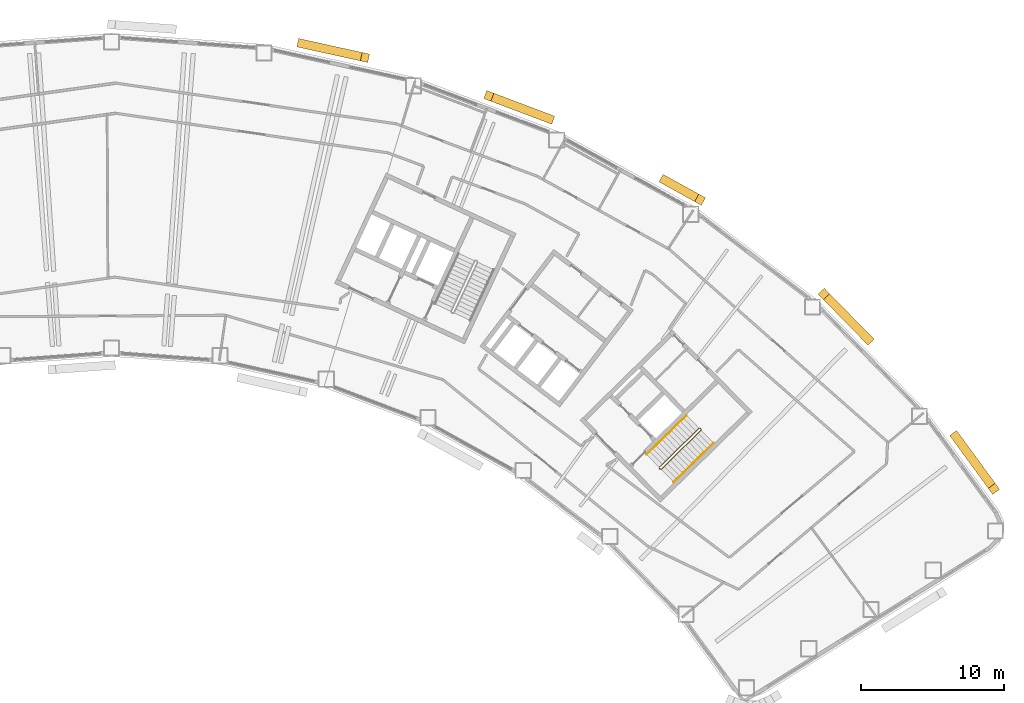
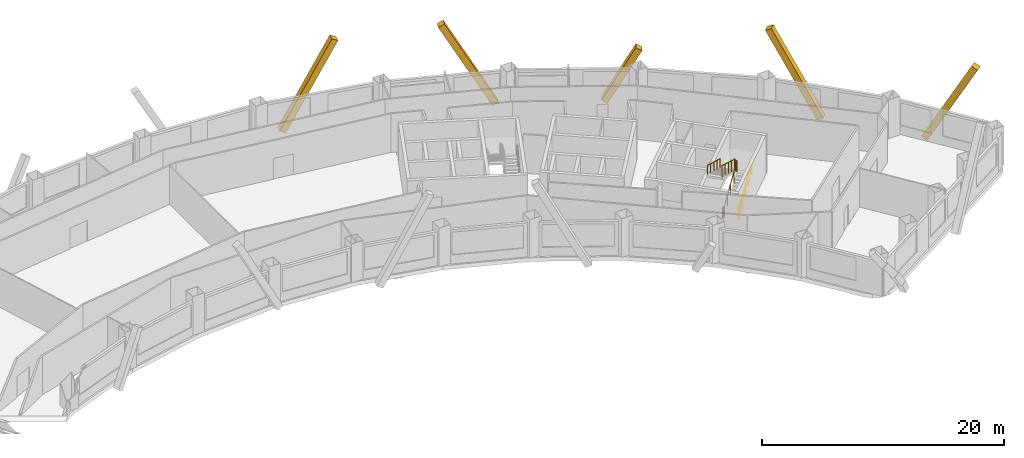
# One storey, part 11 of 11: 5 coverings, 3 railings.
"""IFC4 building model written with IfcOpenShell, lengths in metres."""

from ifc_helpers import new_model, si_unit, direction, frame, origin, origin_2d, place, context, subcontext, project, spatial, rectangle, circle, extrude, material, material_profile, profile_set, type_object, element, save


model = new_model("IFC4")

# Units and contexts
model_context = context("Model", 3, precision=1e-05, world=origin(), true_north=direction((0.0, 1.0)))
body_context = subcontext(model_context, "Body", "Model", "MODEL_VIEW")
ifc_project = project(units=[si_unit("LENGTHUNIT", "METRE"), si_unit("AREAUNIT", "SQUARE_METRE"), si_unit("VOLUMEUNIT", "CUBIC_METRE"), si_unit("PLANEANGLEUNIT", "RADIAN"), si_unit("MASSUNIT", "GRAM", prefix="KILO")], contexts=[model_context])

# Site, building, storey
site_placement = place(None, origin())
site = spatial("IfcSite", under=ifc_project, at=site_placement, CompositionType="ELEMENT")
building_placement = place(site_placement, origin())
building = spatial("IfcBuilding", under=site, at=building_placement, Name="Tuul Gate Civic Tower", CompositionType="ELEMENT")
storey_placement = place(building_placement, frame((0.0, 0.0, 99.300048828125)))
storey = spatial("IfcBuildingStorey", under=building, at=storey_placement, Name="Level 22", CompositionType="ELEMENT", Elevation=99.300048828125)

# Railings
ifc_material_1 = material(Name="Painted steel", Category="steel")
railing_type_1 = type_object("IfcRailingType", Name="Stair guard", PredefinedType="GUARDRAIL", material=ifc_material_1)
railing_1_placement = place(storey_placement, frame((48.10546875, -16.134765625, 0.0)))
element("IfcRailing", 1, at=railing_1_placement, inside=storey, type_object=railing_type_1, Name="Level 22 ST-3 stair guard 1", PredefinedType="GUARDRAIL", context=body_context, shape_type="SweptSolid", body=[
    extrude(circle(Radius=0.02392578125, at=origin_2d()), frame((0.0, 0.0, 1.076171875), z_axis=(-0.698506948293, 0.715603272202, 0.0), x_axis=(-0.715603272202, -0.698506948293, 0.0)), (0.0, 0.0, 1.0), 0.099853515625),
    extrude(circle(Radius=0.02392578125, at=origin_2d()), frame((-0.06982421875, 0.071533203125, 1.076171875), z_axis=(0.645446321009, -0.331687692741, 0.688027849131), x_axis=(0.457068866502, 0.889431307788, 0.0)), (0.0, 0.0, 1.0), 0.2177734375),
    extrude(circle(Radius=0.02392578125, at=origin_2d()), frame((0.07080078125, -0.000732421875, 1.22607421875), z_axis=(0.638731261263, 0.626133563701, 0.447190268558), x_axis=(-0.700029477518, 0.714113947914, 0.0)), (0.0, 0.0, 1.0), 4.3603515625),
    extrude(circle(Radius=0.02392578125, at=origin_2d()), frame((2.85595703125, 2.7294921875, 3.17578125), z_axis=(0.010380063588, 0.999946125689, 0.0), x_axis=(-0.999946125689, 0.010380063588, 0.0)), (0.0, 0.0, 1.0), 0.070556640625),
    extrude(circle(Radius=0.02392578125, at=origin_2d()), frame((2.856689453125, 2.800048828125, 3.17578125), z_axis=(-0.699754442181, 0.714383454909, 0.0), x_axis=(-0.714383454909, -0.699754442181, 0.0)), (0.0, 0.0, 1.0), 0.10009765625),
    extrude(circle(Radius=0.02392578125, at=origin_2d()), frame((2.78662109375, 2.87158203125, 3.17578125), z_axis=(-0.426501027327, 0.004412079593, 0.904476316574), x_axis=(-0.010344274102, -0.999946496565, 0.0)), (0.0, 0.0, 1.0), 0.166015625),
    extrude(circle(Radius=0.02392578125, at=origin_2d()), frame((2.7158203125, 2.872314453125, 3.326171875), z_axis=(-0.638731261263, -0.626133563701, 0.447190268558), x_axis=(0.700029477518, -0.714113947914, 0.0)), (0.0, 0.0, 1.0), 4.3603515625),
    extrude(circle(Radius=0.02099609375, at=origin_2d()), origin(), (0.0, 0.0, 1.0), 1.052001953125),
    extrude(circle(Radius=0.02099609375, at=origin_2d()), frame((-0.06982421875, 0.071533203125, 0.0)), (0.0, 0.0, 1.0), 1.052001953125),
    extrude(circle(Radius=0.02099609375, at=origin_2d()), frame((0.07080078125, -0.000732421875, 0.14990234375)), (0.0, 0.0, 1.0), 1.052001953125),
    extrude(circle(Radius=0.02099609375, at=origin_2d()), frame((0.76708984375, 0.681884765625, 0.637451171875)), (0.0, 0.0, 1.0), 1.052001953125),
    extrude(circle(Radius=0.02099609375, at=origin_2d()), frame((1.46337890625, 1.3642578125, 1.125)), (0.0, 0.0, 1.0), 1.052001953125),
    extrude(circle(Radius=0.02099609375, at=origin_2d()), frame((2.15966796875, 2.046875, 1.6123046875)), (0.0, 0.0, 1.0), 1.052001953125),
    extrude(circle(Radius=0.02099609375, at=origin_2d()), frame((2.85595703125, 2.7294921875, 2.099853515625)), (0.0, 0.0, 1.0), 1.052001953125),
    extrude(circle(Radius=0.02099609375, at=origin_2d()), frame((2.856689453125, 2.800048828125, 2.099853515625)), (0.0, 0.0, 1.0), 1.052001953125),
    extrude(circle(Radius=0.02099609375, at=origin_2d()), frame((2.78662109375, 2.87158203125, 2.099853515625)), (0.0, 0.0, 1.0), 1.052001953125),
    extrude(circle(Radius=0.02099609375, at=origin_2d()), frame((2.7158203125, 2.872314453125, 2.25)), (0.0, 0.0, 1.0), 1.052001953125),
    extrude(circle(Radius=0.02099609375, at=origin_2d()), frame((2.01953125, 2.189697265625, 2.737548828125)), (0.0, 0.0, 1.0), 1.052001953125),
    extrude(circle(Radius=0.02099609375, at=origin_2d()), frame((1.3232421875, 1.50732421875, 3.22509765625)), (0.0, 0.0, 1.0), 1.052001953125),
    extrude(circle(Radius=0.02099609375, at=origin_2d()), frame((0.626953125, 0.82470703125, 3.71240234375)), (0.0, 0.0, 1.0), 1.052001953125),
    extrude(circle(Radius=0.02099609375, at=origin_2d()), frame((-0.0693359375, 0.14208984375, 4.199951171875)), (0.0, 0.0, 1.0), 1.052001953125),
])
ifc_material_2 = material(Name="Painted steel", Category="steel")
railing_type_2 = type_object("IfcRailingType", Name="Stair handrail", PredefinedType="HANDRAIL", material=ifc_material_2)
railing_2_placement = place(storey_placement, frame((49.05126953125, -17.028076171875, 0.14990234375)))
element("IfcRailing", 2, at=railing_2_placement, inside=storey, type_object=railing_type_2, Name="Level 22 ST-3 stair handrail 1", PredefinedType="HANDRAIL", context=body_context, shape_type="SweptSolid", body=[
    extrude(circle(Radius=0.02392578125, at=origin_2d()), frame((0.0, 0.0, 0.8759765625), z_axis=(0.638753653487, 0.626099522554, 0.447205945863), x_axis=(-0.699997553204, 0.714145241186, 0.0)), (0.0, 0.0, 1.0), 4.3603515625),
    extrude(circle(Radius=0.02099609375, at=origin_2d()), origin(), (0.0, 0.0, 1.0), 0.851806640625),
    extrude(circle(Radius=0.02099609375, at=origin_2d()), frame((0.6962890625, 0.6826171875, 0.487548828125)), (0.0, 0.0, 1.0), 0.851806640625),
    extrude(circle(Radius=0.02099609375, at=origin_2d()), frame((1.392578125, 1.364990234375, 0.97509765625)), (0.0, 0.0, 1.0), 0.851806640625),
    extrude(circle(Radius=0.02099609375, at=origin_2d()), frame((2.0888671875, 2.04736328125, 1.46240234375)), (0.0, 0.0, 1.0), 0.851806640625),
    extrude(circle(Radius=0.02099609375, at=origin_2d()), frame((2.78515625, 2.72998046875, 1.949951171875)), (0.0, 0.0, 1.0), 0.851806640625),
])
railing_3_placement = place(storey_placement, frame((49.9462890625, -12.369873046875, 2.25)))
element("IfcRailing", 3, at=railing_3_placement, inside=storey, type_object=railing_type_2, Name="Level 22 ST-3 stair handrail 2", PredefinedType="HANDRAIL", context=body_context, shape_type="SweptSolid", body=[
    extrude(circle(Radius=0.02392578125, at=origin_2d()), frame((0.0, 0.0, 0.8759765625), z_axis=(-0.638753653487, -0.626099522554, 0.447205945863), x_axis=(0.699997553204, -0.714145241186, 0.0)), (0.0, 0.0, 1.0), 4.3603515625),
    extrude(circle(Radius=0.02099609375, at=origin_2d()), origin(), (0.0, 0.0, 1.0), 0.851806640625),
    extrude(circle(Radius=0.02099609375, at=origin_2d()), frame((-0.6962890625, -0.6826171875, 0.487548828125)), (0.0, 0.0, 1.0), 0.851806640625),
    extrude(circle(Radius=0.02099609375, at=origin_2d()), frame((-1.392578125, -1.364990234375, 0.97509765625)), (0.0, 0.0, 1.0), 0.851806640625),
    extrude(circle(Radius=0.02099609375, at=origin_2d()), frame((-2.0888671875, -2.04736328125, 1.46240234375)), (0.0, 0.0, 1.0), 0.851806640625),
    extrude(circle(Radius=0.02099609375, at=origin_2d()), frame((-2.78515625, -2.72998046875, 1.949951171875)), (0.0, 0.0, 1.0), 0.851806640625),
])

# Coverings
ifc_material_3 = material(Name="Terracotta baguette", Category="masonry")
ifc_material_profile = material_profile(ifc_material_3, rectangle(XDim=0.60009765625, YDim=0.60009765625, at=origin_2d()), Name="Terracotta baguette screen frame")
ifc_profile_set = profile_set([ifc_material_profile], Name="Terracotta baguette")
covering_type = type_object("IfcCoveringType", Name="Terracotta baguette screen frame", PredefinedType="CLADDING", material=ifc_profile_set)
covering_1_placement = place(storey_placement, frame((71.388427734375, -17.49755859375, 8.050048828125), z_axis=(-0.2813642373, 0.385225062434, -0.878883278508), x_axis=(-0.807537279361, -0.589816532866, 0.0)))
element("IfcCovering", 4, at=covering_1_placement, inside=storey, type_object=covering_type, Name="Baguette 17", PredefinedType="CLADDING", context=body_context, shape_type="SweptSolid", body=[
    extrude(rectangle(XDim=0.60009765625, YDim=0.60009765625, at=origin_2d()), origin(), (0.0, 0.0, 1.0), 9.557861328125),
])
covering_2_placement = place(storey_placement, frame((59.522705078125, -3.902099609375, 7.88134765625), z_axis=(0.332609882094, -0.339342981316, -0.879896020769), x_axis=(0.714156278257, 0.699986292885, 0.0)))
element("IfcCovering", 5, at=covering_2_placement, inside=storey, type_object=covering_type, Name="Baguette 32", PredefinedType="CLADDING", context=body_context, shape_type="SweptSolid", body=[
    extrude(rectangle(XDim=0.60009765625, YDim=0.60009765625, at=origin_2d()), origin(), (0.0, 0.0, 1.0), 9.35498046875),
])
covering_3_placement = place(storey_placement, frame((50.88916015625, 2.671630859375, 4.924560546875), z_axis=(-0.415611299736, 0.230347624822, -0.879890458677), x_axis=(-0.484762160547, -0.874646012797, 0.0)))
element("IfcCovering", 6, at=covering_3_placement, inside=storey, type_object=covering_type, Name="Baguette 38", PredefinedType="CLADDING", context=body_context, shape_type="SweptSolid", body=[
    extrude(rectangle(XDim=0.60009765625, YDim=0.60009765625, at=origin_2d()), origin(), (0.0, 0.0, 1.0), 5.99462890625),
])
for number, where, z_axis, x_axis, name in (
    (7, (36.15478515625, 9.914794921875, 8.050048828125), (0.444440916685, -0.168043113156, -0.879905553851), (0.353664314999, 0.935372413692, 0.0), "Baguette 53"),
    (8, (27.510986328125, 12.593505859375, 8.050048828125), (-0.464027544082, 0.102242056833, -0.879900562648), (-0.215174921103, -0.976575523617, 0.0), "Baguette 59"),
):
    element("IfcCovering", number, at=place(storey_placement, frame(where, z_axis=z_axis, x_axis=x_axis)), inside=storey, type_object=covering_type, Name=name, PredefinedType="CLADDING", context=body_context, shape_type="SweptSolid", body=[
        extrude(rectangle(XDim=0.60009765625, YDim=0.60009765625, at=origin_2d()), origin(), (0.0, 0.0, 1.0), 9.546630859375),
    ])

save(model, "model.ifc")
